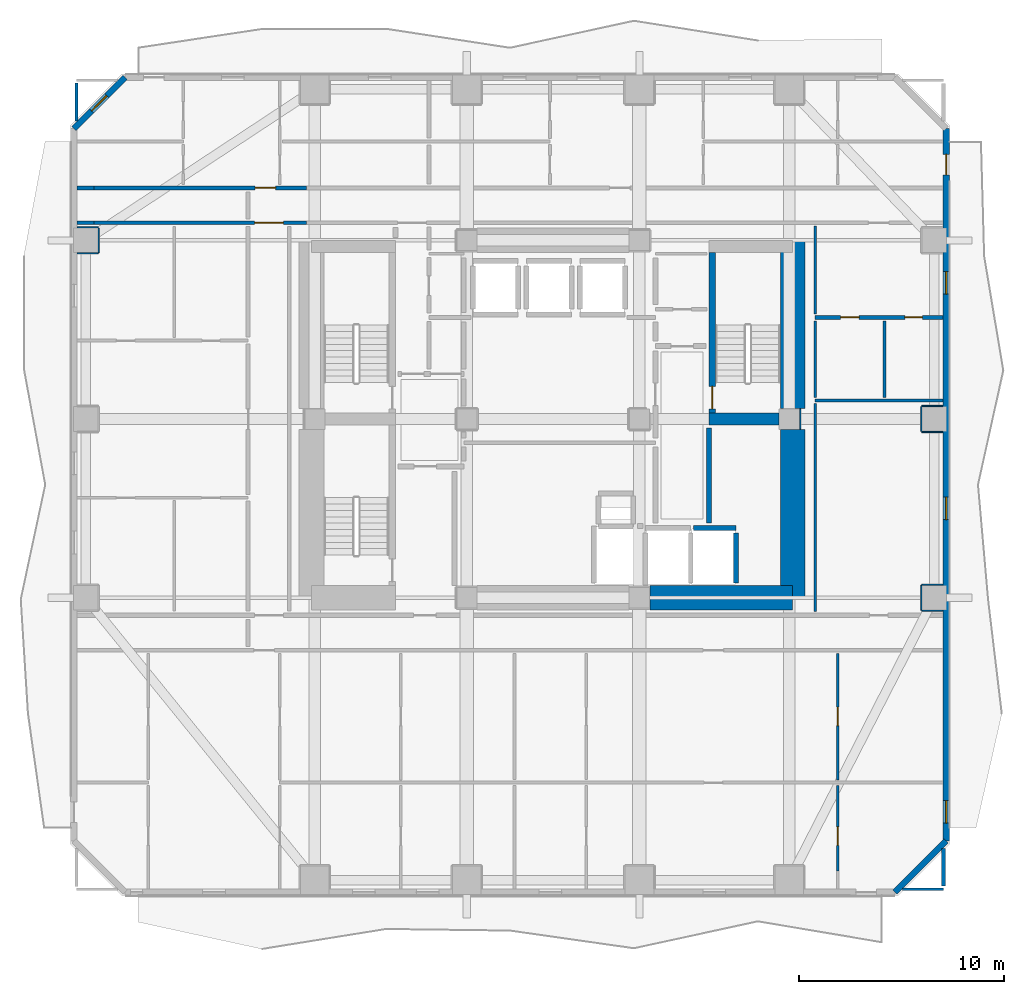
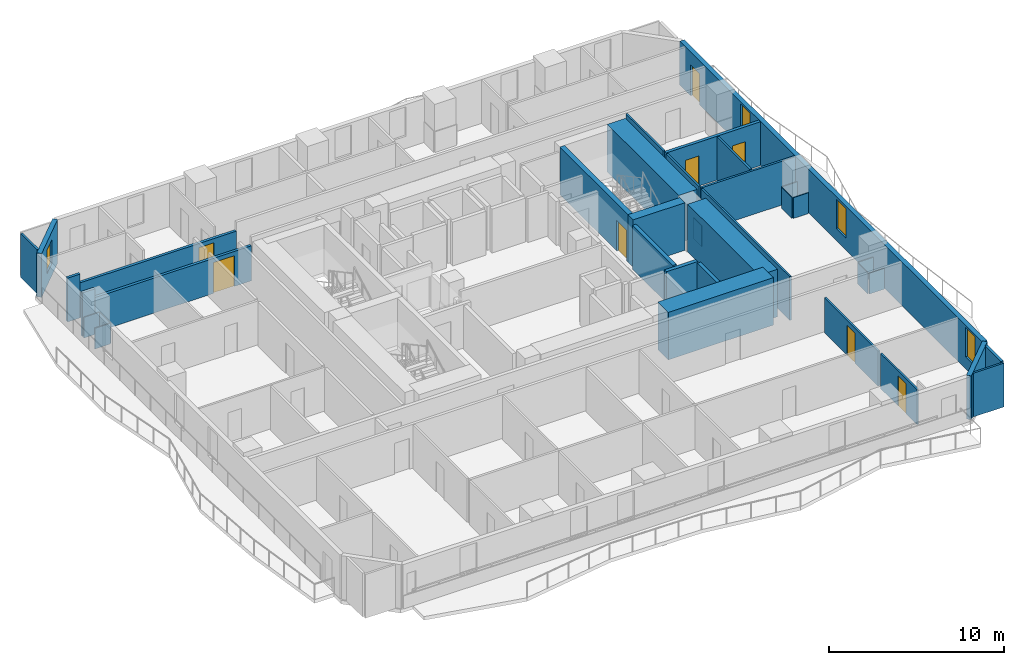
# One storey, part 5 of 11: 36 walls, 8 doors, 4 windows, 12 openings.
"""IFC4 building model written with IfcOpenShell, lengths in metres."""

import ifcopenshell
import ifcopenshell.guid

model = None  # the IFC model being written
_history = None  # IfcOwnerHistory: only IFC2X3 demands one
_inside = {}  # id of a spatial element -> (the spatial element, [elements in it])
_under = {}  # id of a project, library or spatial element -> (it, [spatial elements below it])
_declared = {}  # id of a project -> (the project, [libraries it declares])
_typed = {}  # id of a type object -> (the type object, [elements of that type])
_made_of = {}  # id of a material, layer set ... -> (it, [elements and type objects made of it])


def new_model(schema):
    """Start an empty IFC model of exactly this schema.

    Asked for "IFC4X3", IfcOpenShell would pick the latest addendum, in which some entities
    have other attributes; the version numbers below select the first issue.
    IFC2X3 requires an IfcOwnerHistory on every rooted entity: one is made here for all.
    """
    global model, _history
    if schema == "IFC4X3":
        model = ifcopenshell.file(schema_version=(4, 3, 0, 0))
    else:
        model = ifcopenshell.file(schema=schema)
    _inside.clear()
    _under.clear()
    _declared.clear()
    _typed.clear()
    _made_of.clear()
    _history = None
    if model.schema == "IFC2X3":
        org = make("IfcOrganization", Name="unknown")
        user = make(
            "IfcPersonAndOrganization",
            ThePerson=make("IfcPerson", FamilyName="unknown"),
            TheOrganization=org,
        )
        app = make(
            "IfcApplication",
            ApplicationDeveloper=org,
            Version="unknown",
            ApplicationFullName="unknown",
            ApplicationIdentifier="unknown",
        )
        _history = make(
            "IfcOwnerHistory",
            OwningUser=user,
            OwningApplication=app,
            ChangeAction="ADDED",
            CreationDate=0,
        )
    return model


def make(cls, **values):
    """One entity of the class cls with the attributes given. An attribute that is None is left unset."""
    return model.create_entity(
        cls, **{name: value for name, value in values.items() if value is not None}
    )


def rooted(cls, **values):
    """An entity with a GlobalId (a new one), such as an element, a storey or a relation."""
    return make(cls, GlobalId=ifcopenshell.guid.new(), OwnerHistory=_history, **values)


def si_unit(unit_type, name, prefix=None):
    """IfcSIUnit, for example si_unit("LENGTHUNIT", "METRE", prefix="MILLI")."""
    return make("IfcSIUnit", UnitType=unit_type, Prefix=prefix, Name=name)


def assignment(units):
    """IfcUnitAssignment: the units of a project."""
    return None if units is None else make("IfcUnitAssignment", Units=units)


def point(xyz):
    """IfcCartesianPoint."""
    return None if xyz is None else make("IfcCartesianPoint", Coordinates=xyz)


def direction(xyz):
    """IfcDirection."""
    return None if xyz is None else make("IfcDirection", DirectionRatios=xyz)


def frame(location, z_axis=None, x_axis=None):
    """IfcAxis2Placement3D, a coordinate frame: its origin and axes. An axis left out is left unset."""
    return make(
        "IfcAxis2Placement3D",
        Location=point(location),
        Axis=direction(z_axis),
        RefDirection=direction(x_axis),
    )


def frame_2d(location, x_axis=None):
    """IfcAxis2Placement2D, a coordinate frame in the plane: its origin and x axis."""
    return make(
        "IfcAxis2Placement2D", Location=point(location), RefDirection=direction(x_axis)
    )


def origin():
    """The frame at (0, 0, 0) with its axes left unset."""
    return frame((0.0, 0.0, 0.0))


def place(relative_to, where):
    """IfcLocalPlacement: puts the frame where relative to a parent placement (None: the world)."""
    return make(
        "IfcLocalPlacement", PlacementRelTo=relative_to, RelativePlacement=where
    )


def context(
    kind, dimensions, precision=None, world=None, true_north=None, identifier=None
):
    """IfcGeometricRepresentationContext, for example the 3D "Model" context."""
    return make(
        "IfcGeometricRepresentationContext",
        ContextIdentifier=identifier,
        ContextType=kind,
        CoordinateSpaceDimension=dimensions,
        Precision=precision,
        WorldCoordinateSystem=world,
        TrueNorth=true_north,
    )


def subcontext(parent, identifier, kind, view, scale=None):
    """IfcGeometricRepresentationSubContext, for example "Body" below "Model"."""
    return make(
        "IfcGeometricRepresentationSubContext",
        ContextIdentifier=identifier,
        ContextType=kind,
        ParentContext=parent,
        TargetScale=scale,
        TargetView=view,
    )


def project(units=None, contexts=None):
    """IfcProject with its units and contexts."""
    return rooted(
        "IfcProject",
        Name="project",
        RepresentationContexts=contexts,
        UnitsInContext=assignment(units),
    )


def spatial(cls, under=None, at=None, **own):
    """A site, building, storey or space (cls), placed at a placement, below another one or the project."""
    s = rooted(cls, ObjectPlacement=at, **own)
    if under is not None:
        _under.setdefault(under.id(), (under, []))[1].append(s)
    return s


def profile(cls, at=None, kind="AREA", **sizes):
    """A parametric profile (cls). Its sizes go by their IFC names, for example OverallWidth=200.0."""
    return make(cls, ProfileType=kind, Position=at, **sizes)


def rectangle(**sizes):
    """IfcRectangleProfileDef."""
    return profile("IfcRectangleProfileDef", **sizes)


def extrude(swept, where, along, depth):
    """IfcExtrudedAreaSolid: the profile swept, set in the frame where, extruded along a direction by depth."""
    return make(
        "IfcExtrudedAreaSolid",
        SweptArea=swept,
        Position=where,
        ExtrudedDirection=direction(along),
        Depth=depth,
    )


def shape(context_of_items, identifier, shape_type, items):
    """IfcShapeRepresentation: the items that make up one representation, for example the "Body"."""
    return make(
        "IfcShapeRepresentation",
        ContextOfItems=context_of_items,
        RepresentationIdentifier=identifier,
        RepresentationType=shape_type,
        Items=items,
    )


def material(Name=None, Category=None):
    """IfcMaterial."""
    return make("IfcMaterial", Name=Name, Category=Category)


def layer(
    of_material, thickness, ventilated=None, Name=None, Category=None, Priority=None
):
    """IfcMaterialLayer: one layer of a wall or slab, of a material (None: an air gap)."""
    return make(
        "IfcMaterialLayer",
        Material=of_material,
        LayerThickness=thickness,
        IsVentilated=ventilated,
        Name=Name,
        Category=Category,
        Priority=Priority,
    )


def layer_set(layers, Name=None):
    """IfcMaterialLayerSet."""
    return make("IfcMaterialLayerSet", MaterialLayers=layers, LayerSetName=Name)


def made_of(thing, what):
    """Note that an element or type object is made of a material, layer set ...; save() writes the relation."""
    if what is not None:
        _made_of.setdefault(what.id(), (what, []))[1].append(thing)
    return thing


def type_object(cls, material=None, **own):
    """A type object (cls), such as IfcWallType, which elements share."""
    return made_of(rooted(cls, **own), material)


def element(
    cls,
    number,
    at=None,
    inside=None,
    cuts=None,
    type_object=None,
    material=None,
    context=None,
    identifier="Body",
    shape_type=None,
    held_by="IfcProductDefinitionShape",
    body=None,
    shapes=None,
    **own,
):
    """One element of the class cls, such as IfcWall. Its Tag is "e" and its number.

    at: its placement. inside: the storey or other place that contains it. cuts: it is an
    opening in that element (IfcRelVoidsElement). A single representation is given by context,
    identifier, shape_type and body (its items); several are given by shapes. held_by: the class
    of the entity that holds the representations. save() writes the other relations.
    """
    e = rooted(cls, Tag="e%d" % number, ObjectPlacement=at, **own)
    if body is not None:
        shapes = [shape(context, identifier, shape_type, body)]
    if shapes is not None:
        e.Representation = make(held_by, Representations=shapes)
    if inside is not None:
        _inside.setdefault(inside.id(), (inside, []))[1].append(e)
    if cuts is not None:
        rooted(
            "IfcRelVoidsElement", RelatingBuildingElement=cuts, RelatedOpeningElement=e
        )
    if type_object is not None:
        _typed.setdefault(type_object.id(), (type_object, []))[1].append(e)
    return made_of(e, material)


def fill(opening, filler):
    """IfcRelFillsElement: the door or window that sits in an opening."""
    return rooted(
        "IfcRelFillsElement",
        RelatingOpeningElement=opening,
        RelatedBuildingElement=filler,
    )


def aggregate(whole, parts):
    """IfcRelAggregates: a whole, such as a stair, and the parts it consists of."""
    return rooted("IfcRelAggregates", RelatingObject=whole, RelatedObjects=parts)


def save(model, path):
    """Write the relations noted so far, then the file.

    IfcRelAggregates (storeys below a building ...), IfcRelContainedInSpatialStructure (elements
    in a storey), IfcRelDefinesByType, IfcRelAssociatesMaterial and IfcRelDeclares: one each for
    every whole, place, type object, material and project.
    """
    for whole, parts in _under.values():
        aggregate(whole, parts)
    for where, things in _inside.values():
        rooted(
            "IfcRelContainedInSpatialStructure",
            RelatedElements=things,
            RelatingStructure=where,
        )
    for kind, things in _typed.values():
        rooted("IfcRelDefinesByType", RelatedObjects=things, RelatingType=kind)
    for what, things in _made_of.values():
        rooted("IfcRelAssociatesMaterial", RelatedObjects=things, RelatingMaterial=what)
    for by, libraries in _declared.values():
        rooted("IfcRelDeclares", RelatingContext=by, RelatedDefinitions=libraries)
    model.write(path)


model = new_model("IFC4")

# Units and contexts
model_context = context("Model", 3, precision=1e-05, world=origin(), true_north=direction((0.0, 1.0)))
body_context = subcontext(model_context, "Body", "Model", "MODEL_VIEW")
ifc_project = project(units=[si_unit("LENGTHUNIT", "METRE"), si_unit("AREAUNIT", "SQUARE_METRE"), si_unit("VOLUMEUNIT", "CUBIC_METRE"), si_unit("PLANEANGLEUNIT", "RADIAN"), si_unit("MASSUNIT", "GRAM", prefix="KILO")], contexts=[model_context])

# Site, building, storey
site_placement = place(None, origin())
site = spatial("IfcSite", under=ifc_project, at=site_placement, CompositionType="ELEMENT")
building_placement = place(site_placement, origin())
building = spatial("IfcBuilding", under=site, at=building_placement, Name="Solanera Arch Residences", CompositionType="ELEMENT")
storey_placement = place(building_placement, frame((0.0, 0.0, 35.280029296875)))
storey = spatial("IfcBuildingStorey", under=building, at=storey_placement, Name="L09", CompositionType="ELEMENT", Elevation=35.280029296875)

# Walls
ifc_material_1 = material(Name="Fire-Rated Gypsum Stud Partition", Category="gypsum")
ifc_layer_1 = layer(ifc_material_1, 0.06005859375)
ifc_layer_set_1 = layer_set([ifc_layer_1], Name="Fire-Rated Gypsum Stud Partition")
wall_type_1 = type_object("IfcWallType", Name="Column Acoustic Furring Wall 60", PredefinedType="PARTITIONING", material=ifc_layer_set_1)
wall_1_placement = place(storey_placement, frame((37.031982421875, 30.2099609375, 0.0), z_axis=(0.0, 0.0, 1.0), x_axis=(0.0, 1.0, 0.0)))
element("IfcWall", 1, at=wall_1_placement, inside=storey, type_object=wall_type_1, Name="L09 Column Furring 6E", PredefinedType="PARTITIONING", context=body_context, shape_type="SweptSolid", body=[
    extrude(rectangle(XDim=0.97998046875, YDim=0.06005859375, at=frame_2d((0.489990234375, 0.0))), origin(), (0.0, 0.0, 1.0), 1.449951171875),
])
for number, where, z_axis, x_axis, name in (
    (2, (42.949951171875, 21.367919921875, 0.0), (0.0, 0.0, 1.0), (1.0, 0.0, 0.0), "L09 Column Furring 18S"),
    (3, (42.949951171875, 22.632080078125, 0.0), (0.0, 0.0, 1.0), (1.0, 0.0, 0.0), "L09 Column Furring 18N"),
):
    element("IfcWall", number, at=place(storey_placement, frame(where, z_axis=z_axis, x_axis=x_axis)), inside=storey, type_object=wall_type_1, Name=name, PredefinedType="PARTITIONING", context=body_context, shape_type="SweptSolid", body=[
        extrude(rectangle(XDim=1.02001953125, YDim=0.06005859375, at=frame_2d((0.510009765625, 0.0))), origin(), (0.0, 0.0, 1.0), 1.449951171875),
    ])
wall_2_placement = place(storey_placement, frame((42.91796875, 21.39990234375, 0.0), z_axis=(0.0, 0.0, 1.0), x_axis=(0.0, 1.0, 0.0)))
element("IfcWall", 4, at=wall_2_placement, inside=storey, type_object=wall_type_1, Name="L09 Column Furring 18W", PredefinedType="PARTITIONING", context=body_context, shape_type="SweptSolid", body=[
    extrude(rectangle(XDim=1.2001953125, YDim=0.06005859375, at=frame_2d((0.60009765625, 0.0))), origin(), (0.0, 0.0, 1.0), 1.449951171875),
])
for number, where, z_axis, x_axis, name in (
    (5, (42.949951171875, 30.068115234375, 0.0), (0.0, 0.0, 1.0), (1.0, 0.0, 0.0), "L09 Column Furring 20S"),
    (6, (42.949951171875, 31.33203125, 0.0), (0.0, 0.0, 1.0), (1.0, 0.0, 0.0), "L09 Column Furring 20N"),
):
    element("IfcWall", number, at=place(storey_placement, frame(where, z_axis=z_axis, x_axis=x_axis)), inside=storey, type_object=wall_type_1, Name=name, PredefinedType="PARTITIONING", context=body_context, shape_type="SweptSolid", body=[
        extrude(rectangle(XDim=1.02001953125, YDim=0.06005859375, at=frame_2d((0.510009765625, 0.0))), origin(), (0.0, 0.0, 1.0), 1.449951171875),
    ])
wall_3_placement = place(storey_placement, frame((42.91796875, 30.10009765625, 0.0), z_axis=(0.0, 0.0, 1.0), x_axis=(0.0, 1.0, 0.0)))
element("IfcWall", 7, at=wall_3_placement, inside=storey, type_object=wall_type_1, Name="L09 Column Furring 20W", PredefinedType="PARTITIONING", context=body_context, shape_type="SweptSolid", body=[
    extrude(rectangle(XDim=1.199951171875, YDim=0.06005859375, at=frame_2d((0.60009765625, 0.0))), origin(), (0.0, 0.0, 1.0), 1.449951171875),
])
for number, where, z_axis, x_axis, name in (
    (8, (1.830078125, 38.76806640625, 0.0), (0.0, 0.0, 1.0), (1.0, 0.0, 0.0), "L09 Column Furring 21S"),
    (9, (1.830078125, 40.031982421875, 0.0), (0.0, 0.0, 1.0), (1.0, 0.0, 0.0), "L09 Column Furring 21N"),
):
    element("IfcWall", number, at=place(storey_placement, frame(where, z_axis=z_axis, x_axis=x_axis)), inside=storey, type_object=wall_type_1, Name=name, PredefinedType="PARTITIONING", context=body_context, shape_type="SweptSolid", body=[
        extrude(rectangle(XDim=1.02001953125, YDim=0.06005859375, at=frame_2d((0.510009765625, 0.0))), origin(), (0.0, 0.0, 1.0), 1.449951171875),
    ])
wall_4_placement = place(storey_placement, frame((2.882080078125, 38.800048828125, 0.0), z_axis=(0.0, 0.0, 1.0), x_axis=(0.0, 1.0, 0.0)))
element("IfcWall", 10, at=wall_4_placement, inside=storey, type_object=wall_type_1, Name="L09 Column Furring 21E", PredefinedType="PARTITIONING", context=body_context, shape_type="SweptSolid", body=[
    extrude(rectangle(XDim=1.199951171875, YDim=0.06005859375, at=frame_2d((0.60009765625, 0.0))), origin(), (0.0, 0.0, 1.0), 1.449951171875),
])
ifc_material_2 = material(Name="Concrete C55/67 (f'c = 60 MPa)", Category="concrete")
ifc_layer_2 = layer(ifc_material_2, 1.199951171875)
ifc_layer_set_2 = layer_set([ifc_layer_2], Name="Concrete C55/67 (f'c = 60 MPa)")
wall_type_2 = type_object("IfcWallType", Name="Core Shear Wall CW-1200", PredefinedType="SHEAR", material=ifc_layer_set_2)
wall_5_placement = place(storey_placement, frame((36.659912109375, 22.0, 0.0), z_axis=(0.0, 0.0, 1.0), x_axis=(0.0, 1.0, 0.0)))
element("IfcWall", 11, at=wall_5_placement, inside=storey, type_object=wall_type_2, Name="L09 East Core South Shear Wall", PredefinedType="SHEAR", context=body_context, shape_type="SweptSolid", body=[
    extrude(rectangle(XDim=8.195068359375, YDim=1.199951171875, at=frame_2d((4.09765625, 0.0))), origin(), (0.0, 0.0, 1.0), 3.320068359375),
])
wall_6_placement = place(storey_placement, frame((36.659912109375, 31.205078125, 0.0), z_axis=(0.0, 0.0, 1.0), x_axis=(0.0, 1.0, 0.0)))
element("IfcWall", 12, at=wall_6_placement, inside=storey, type_object=wall_type_2, Name="L09 East Core North Shear Wall", PredefinedType="SHEAR", context=body_context, shape_type="SweptSolid", body=[
    extrude(rectangle(XDim=8.19482421875, YDim=1.199951171875, at=frame_2d((4.097412109375, 0.0))), origin(), (0.0, 0.0, 1.0), 3.320068359375),
])
wall_7_placement = place(storey_placement, frame((29.705078125, 22.0, 0.0), z_axis=(0.0, 0.0, 1.0), x_axis=(1.0, 0.0, 0.0)))
element("IfcWall", 13, at=wall_7_placement, inside=storey, type_object=wall_type_2, Name="L09 South-East Core Shear Wall", PredefinedType="SHEAR", context=body_context, shape_type="SweptSolid", body=[
    extrude(rectangle(XDim=6.954833984375, YDim=1.199951171875, at=frame_2d((3.4775390625, 0.0))), origin(), (0.0, 0.0, 1.0), 3.320068359375),
])

# Wall, opening, door
ifc_material_3 = material(Name="Concrete C40/50 (f'c = 45 MPa)", Category="concrete")
ifc_layer_3 = layer(ifc_material_3, 0.320068359375)
ifc_layer_set_3 = layer_set([ifc_layer_3], Name="Concrete C40/50 (f'c = 45 MPa)")
wall_type_3 = type_object("IfcWallType", Name="Core Shear Wall CW-320", PredefinedType="SHEAR", material=ifc_layer_set_3)
wall_8_placement = place(storey_placement, frame((32.739990234375, 31.0, 0.0), z_axis=(0.0, 0.0, 1.0), x_axis=(0.0, 1.0, 0.0)))
wall_8 = element("IfcWall", 14, at=wall_8_placement, inside=storey, type_object=wall_type_3, Name="L09 Stair ST-T2 West Shear Wall", PredefinedType="SHEAR", context=body_context, shape_type="SweptSolid", body=[
    extrude(rectangle(XDim=7.800048828125, YDim=0.320068359375, at=frame_2d((3.89990234375, 0.0))), origin(), (0.0, 0.0, 1.0), 3.320068359375),
])
opening_1_placement = place(wall_8_placement, frame((0.18994140625, 0.0, 0.0)))
opening_1 = element("IfcOpeningElement", 15, at=opening_1_placement, cuts=wall_8, Name="Opening DF-01", PredefinedType="OPENING", context=body_context, shape_type="SweptSolid", body=[
    extrude(rectangle(XDim=1.10009765625, YDim=2.14990234375, at=frame_2d((0.550048828125, 1.074951171875))), frame((0.0, 0.169921875, 0.0), z_axis=(0.0, -1.0, 0.0), x_axis=(1.0, 0.0, 0.0)), (0.0, 0.0, 1.0), 0.3401),
])
ifc_material_4 = material(Name="Fire-Rated Architectural Hardwood", Category="wood")
door_type_1 = type_object("IfcDoorType", Name="Stair Exit Fire Door DF-01", OperationType="NOTDEFINED", PredefinedType="DOOR", material=ifc_material_4)
door_1_placement = place(opening_1_placement, origin())
door_1 = element("IfcDoor", 16, at=door_1_placement, inside=storey, type_object=door_type_1, Name="DR-L09-STAIR-ST-T2", OperationType="SINGLE_SWING_LEFT", OverallHeight=2.14990234375, OverallWidth=1.10009765625, PredefinedType="DOOR", context=body_context, shape_type="SweptSolid", body=[
    extrude(rectangle(XDim=1.10009765625, YDim=2.14990234375, at=frame_2d((0.550048828125, 1.074951171875))), frame((0.0, 0.02490234375, 0.0), z_axis=(0.0, -1.0, 0.0), x_axis=(1.0, 0.0, 0.0)), (0.0, 0.0, 1.0), 0.050048828125),
])
fill(opening_1, door_1)

# Walls
ifc_material_5 = material(Name="Concrete C40/50 (f'c = 45 MPa)", Category="concrete")
ifc_layer_4 = layer(ifc_material_5, 0.60009765625)
ifc_layer_set_4 = layer_set([ifc_layer_4], Name="Concrete C40/50 (f'c = 45 MPa)")
wall_type_4 = type_object("IfcWallType", Name="Core Shear Wall CW-600", PredefinedType="SHEAR", material=ifc_layer_set_4)
wall_9_placement = place(storey_placement, frame((32.580078125, 30.699951171875, 0.0), z_axis=(0.0, 0.0, 1.0), x_axis=(1.0, 0.0, 0.0)))
element("IfcWall", 17, at=wall_9_placement, inside=storey, type_object=wall_type_4, Name="L09 East Stair Far-Landing Shear Wall", PredefinedType="SHEAR", context=body_context, shape_type="SweptSolid", body=[
    extrude(rectangle(XDim=3.4150390625, YDim=0.60009765625, at=frame_2d((1.70751953125, 0.0))), origin(), (0.0, 0.0, 1.0), 3.320068359375),
])
ifc_material_6 = material(Name="Autoclaved Aerated Concrete Blockwork", Category="masonry")
ifc_layer_5 = layer(ifc_material_6, 0.179931640625)
ifc_layer_set_5 = layer_set([ifc_layer_5], Name="Autoclaved Aerated Concrete Blockwork")
wall_type_5 = type_object("IfcWallType", Name="Corridor Fire Partition 180", PredefinedType="PARTITIONING", material=ifc_layer_set_5)
wall_10_placement = place(storey_placement, frame((1.826904296875, 40.25, 0.0), z_axis=(0.0, 0.0, 1.0), x_axis=(1.0, 0.0, 0.0)))
element("IfcWall", 18, at=wall_10_placement, inside=storey, type_object=wall_type_5, Name="L09 Interior Partition H11 1", PredefinedType="PARTITIONING", context=body_context, shape_type="SweptSolid", body=[
    extrude(rectangle(XDim=0.833984375, YDim=0.179931640625, at=frame_2d((0.4169921875, 0.0))), origin(), (0.0, 0.0, 1.0), 3.06005859375),
])

# Wall, opening, door
wall_11_placement = place(storey_placement, frame((2.660888671875, 40.25, 0.0), z_axis=(0.0, 0.0, 1.0), x_axis=(1.0, 0.0, 0.0)))
wall_11 = element("IfcWall", 19, at=wall_11_placement, inside=storey, type_object=wall_type_5, Name="L09 Interior Partition H11 2", PredefinedType="PARTITIONING", context=body_context, shape_type="SweptSolid", body=[
    extrude(rectangle(XDim=10.328125, YDim=0.179931640625, at=frame_2d((5.1640625, 0.0))), origin(), (0.0, 0.0, 1.0), 2.445068359375),
])
opening_2_placement = place(wall_11_placement, frame((7.81298828125, 0.0, 0.0)))
opening_2 = element("IfcOpeningElement", 20, at=opening_2_placement, cuts=wall_11, Name="Opening DF-03", PredefinedType="OPENING", context=body_context, shape_type="SweptSolid", body=[
    extrude(rectangle(XDim=1.39990234375, YDim=2.14990234375, at=frame_2d((0.699951171875, 1.074951171875))), frame((0.0, 0.10009765625, 0.0), z_axis=(0.0, -1.0, 0.0), x_axis=(1.0, 0.0, 0.0)), (0.0, 0.0, 1.0), 0.1999),
])
ifc_material_7 = material(Name="Fire-Rated Architectural Hardwood", Category="wood")
door_type_2 = type_object("IfcDoorType", Name="Corridor Smoke Door DF-03", OperationType="NOTDEFINED", PredefinedType="DOOR", material=ifc_material_7)
door_2_placement = place(opening_2_placement, origin())
door_2 = element("IfcDoor", 21, at=door_2_placement, inside=storey, type_object=door_type_2, Name="DR-L09-IN-011", OperationType="SINGLE_SWING_RIGHT", OverallHeight=2.14990234375, OverallWidth=1.39990234375, PredefinedType="DOOR", context=body_context, shape_type="SweptSolid", body=[
    extrude(rectangle(XDim=1.39990234375, YDim=2.14990234375, at=frame_2d((0.699951171875, 1.074951171875))), frame((0.0, 0.02490234375, 0.0), z_axis=(0.0, -1.0, 0.0), x_axis=(1.0, 0.0, 0.0)), (0.0, 0.0, 1.0), 0.050048828125),
])
fill(opening_2, door_2)

# Wall
wall_12_placement = place(storey_placement, frame((1.826904296875, 41.949951171875, 0.0), z_axis=(0.0, 0.0, 1.0), x_axis=(1.0, 0.0, 0.0)))
element("IfcWall", 22, at=wall_12_placement, inside=storey, type_object=wall_type_5, Name="L09 Interior Partition H12 1", PredefinedType="PARTITIONING", context=body_context, shape_type="SweptSolid", body=[
    extrude(rectangle(XDim=0.833984375, YDim=0.179931640625, at=frame_2d((0.4169921875, 0.0))), origin(), (0.0, 0.0, 1.0), 3.06005859375),
])

# Wall, opening, door
wall_13_placement = place(storey_placement, frame((2.660888671875, 41.949951171875, 0.0), z_axis=(0.0, 0.0, 1.0), x_axis=(1.0, 0.0, 0.0)))
wall_13 = element("IfcWall", 23, at=wall_13_placement, inside=storey, type_object=wall_type_5, Name="L09 Interior Partition H12 2", PredefinedType="PARTITIONING", context=body_context, shape_type="SweptSolid", body=[
    extrude(rectangle(XDim=10.328125, YDim=0.179931640625, at=frame_2d((5.1640625, 0.0))), origin(), (0.0, 0.0, 1.0), 2.445068359375),
])
opening_3_placement = place(wall_13_placement, frame((7.833984375, 0.0, 0.0)))
opening_3 = element("IfcOpeningElement", 24, at=opening_3_placement, cuts=wall_13, Name="Opening DI-01", PredefinedType="OPENING", context=body_context, shape_type="SweptSolid", body=[
    extrude(rectangle(XDim=1.0, YDim=2.14990234375, at=frame_2d((0.5, 1.074951171875))), frame((0.0, 0.10009765625, 0.0), z_axis=(0.0, -1.0, 0.0), x_axis=(1.0, 0.0, 0.0)), (0.0, 0.0, 1.0), 0.1999),
])
ifc_material_8 = material(Name="Fire-Rated Architectural Hardwood", Category="wood")
door_type_3 = type_object("IfcDoorType", Name="Unit Entrance Fire Door DI-01", OperationType="NOTDEFINED", PredefinedType="DOOR", material=ifc_material_8)
door_3_placement = place(opening_3_placement, origin())
door_3 = element("IfcDoor", 25, at=door_3_placement, inside=storey, type_object=door_type_3, Name="DR-L09-IN-028", OperationType="SINGLE_SWING_LEFT", OverallHeight=2.14990234375, OverallWidth=1.0, PredefinedType="DOOR", context=body_context, shape_type="SweptSolid", body=[
    extrude(rectangle(XDim=1.0, YDim=2.14990234375, at=frame_2d((0.5, 1.074951171875))), frame((0.0, 0.02490234375, 0.0), z_axis=(0.0, -1.0, 0.0), x_axis=(1.0, 0.0, 0.0)), (0.0, 0.0, 1.0), 0.050048828125),
])
fill(opening_3, door_3)

# Wall
wall_14_placement = place(storey_placement, frame((44.0, 7.9580078125, 0.0), z_axis=(0.0, 0.0, 1.0), x_axis=(0.0, 1.0, 0.0)))
element("IfcWall", 26, at=wall_14_placement, inside=storey, type_object=wall_type_5, Name="L09 Interior Partition V10 1", PredefinedType="PARTITIONING", context=body_context, shape_type="SweptSolid", body=[
    extrude(rectangle(XDim=1.843017578125, YDim=0.179931640625, at=frame_2d((0.92138671875, 0.0))), origin(), (0.0, 0.0, 1.0), 3.06005859375),
])

# Wall, opening, window
ifc_material_9 = material(Name="Precast Concrete C35/45", Category="concrete")
ifc_layer_6 = layer(ifc_material_9, 0.300048828125)
ifc_layer_set_6 = layer_set([ifc_layer_6], Name="Precast Concrete C35/45")
wall_type_6 = type_object("IfcWallType", Name="Exterior Wall Precast Masonry-Frame 300", PredefinedType="STANDARD", material=ifc_layer_set_6)
wall_15_placement = place(storey_placement, frame((1.6650390625, 44.8349609375, 0.0), z_axis=(0.0, 0.0, 1.0), x_axis=(0.707106781187, 0.707106781187, 0.0)))
wall_15 = element("IfcWall", 27, at=wall_15_placement, inside=storey, type_object=wall_type_6, Name="L09 Tower Exterior Precast Masonry-Frame Wall CH1", PredefinedType="STANDARD", context=body_context, shape_type="SweptSolid", body=[
    extrude(rectangle(XDim=3.53564453125, YDim=0.300048828125, at=frame_2d((1.767822265625, 0.0))), origin(), (0.0, 0.0, 1.0), 3.06005859375),
])
opening_4_placement = place(wall_15_placement, frame((1.219970703125, 0.0, 0.85009765625)))
opening_4 = element("IfcOpeningElement", 28, at=opening_4_placement, cuts=wall_15, Name="Opening W-07", PredefinedType="OPENING", context=body_context, shape_type="SweptSolid", body=[
    extrude(rectangle(XDim=1.050048828125, YDim=1.64990234375, at=frame_2d((0.52490234375, 0.824951171875))), frame((0.0, 0.159912109375, 0.0), z_axis=(0.0, -1.0, 0.0), x_axis=(1.0, 0.0, 0.0)), (0.0, 0.0, 1.0), 0.32),
])
ifc_material_10 = material(Name="Double Glazed Low-E Laminated Glass", Category="glass")
window_type_1 = type_object("IfcWindowType", Name="Punched Window W-07", PartitioningType="SINGLE_PANEL", PredefinedType="WINDOW", material=ifc_material_10)
window_1_placement = place(opening_4_placement, origin())
window_1 = element("IfcWindow", 29, at=window_1_placement, inside=storey, type_object=window_type_1, Name="L09 0903-BR1 Corner Punched Window", OverallHeight=1.64990234375, OverallWidth=1.050048828125, PartitioningType="SINGLE_PANEL", PredefinedType="WINDOW", context=body_context, shape_type="SweptSolid", body=[
    extrude(rectangle(XDim=1.050048828125, YDim=1.64990234375, at=frame_2d((0.52490234375, 0.824951171875))), frame((0.0, 0.030029296875, 0.0), z_axis=(0.0, -1.0, 0.0), x_axis=(1.0, 0.0, 0.0)), (0.0, 0.0, 1.0), 0.06005859375),
])
fill(opening_4, window_1)

# Wall, openings, door, windows
wall_16_placement = place(storey_placement, frame((44.135009765625, 44.8349609375, 0.0), z_axis=(0.0, 0.0, 1.0), x_axis=(0.0, -1.0, 0.0)))
wall_16 = element("IfcWall", 30, at=wall_16_placement, inside=storey, type_object=wall_type_6, Name="L09 Tower Exterior Precast Masonry-Frame Wall E", PredefinedType="STANDARD", context=body_context, shape_type="SweptSolid", body=[
    extrude(rectangle(XDim=34.669921875, YDim=0.300048828125, at=frame_2d((17.3349609375, 0.0))), origin(), (0.0, 0.0, 1.0), 3.06005859375),
])
opening_5_placement = place(wall_16_placement, frame((1.2509765625, 0.0, 0.0)))
opening_5 = element("IfcOpeningElement", 31, at=opening_5_placement, cuts=wall_16, Name="Opening DB-01", PredefinedType="OPENING", context=body_context, shape_type="SweptSolid", body=[
    extrude(rectangle(XDim=1.0, YDim=2.14990234375, at=frame_2d((0.5, 1.074951171875))), frame((0.0, 0.159912109375, 0.0), z_axis=(0.0, -1.0, 0.0), x_axis=(1.0, 0.0, 0.0)), (0.0, 0.0, 1.0), 0.32),
])
opening_6_placement = place(wall_16_placement, frame((32.7080078125, 0.0, 0.85009765625)))
opening_6 = element("IfcOpeningElement", 32, at=opening_6_placement, cuts=wall_16, Name="Opening W-11", PredefinedType="OPENING", context=body_context, shape_type="SweptSolid", body=[
    extrude(rectangle(XDim=1.10009765625, YDim=2.050048828125, at=frame_2d((0.550048828125, 1.02490234375))), frame((0.0, 0.159912109375, 0.0), z_axis=(0.0, -1.0, 0.0), x_axis=(1.0, 0.0, 0.0)), (0.0, 0.0, 1.0), 0.32),
])
opening_7_placement = place(wall_16_placement, frame((17.93505859375, 0.0, 0.85009765625)))
opening_7 = element("IfcOpeningElement", 33, at=opening_7_placement, cuts=wall_16, Name="Opening W-11", PredefinedType="OPENING", context=body_context, shape_type="SweptSolid", body=[
    extrude(rectangle(XDim=1.10009765625, YDim=2.050048828125, at=frame_2d((0.550048828125, 1.02490234375))), frame((0.0, 0.159912109375, 0.0), z_axis=(0.0, -1.0, 0.0), x_axis=(1.0, 0.0, 0.0)), (0.0, 0.0, 1.0), 0.32),
])
opening_8_placement = place(wall_16_placement, frame((6.958984375, 0.0, 0.85009765625)))
opening_8 = element("IfcOpeningElement", 34, at=opening_8_placement, cuts=wall_16, Name="Opening W-11", PredefinedType="OPENING", context=body_context, shape_type="SweptSolid", body=[
    extrude(rectangle(XDim=1.10009765625, YDim=2.050048828125, at=frame_2d((0.550048828125, 1.02490234375))), frame((0.0, 0.159912109375, 0.0), z_axis=(0.0, -1.0, 0.0), x_axis=(1.0, 0.0, 0.0)), (0.0, 0.0, 1.0), 0.32),
])
ifc_material_11 = material(Name="Anodised Aluminium Alloy 6063-T6", Category="aluminium")
door_type_4 = type_object("IfcDoorType", Name="Glazed Balcony Swing Door DB-01", OperationType="NOTDEFINED", PredefinedType="DOOR", material=ifc_material_11)
door_4_placement = place(opening_5_placement, origin())
door_4 = element("IfcDoor", 35, at=door_4_placement, inside=storey, type_object=door_type_4, Name="DR-L09-OUT-03", OperationType="SINGLE_SWING_LEFT", OverallHeight=2.14990234375, OverallWidth=1.0, PredefinedType="DOOR", context=body_context, shape_type="SweptSolid", body=[
    extrude(rectangle(XDim=1.0, YDim=2.14990234375, at=frame_2d((0.5, 1.074951171875))), frame((0.0, 0.02490234375, 0.0), z_axis=(0.0, -1.0, 0.0), x_axis=(1.0, 0.0, 0.0)), (0.0, 0.0, 1.0), 0.050048828125),
])
fill(opening_5, door_4)
ifc_material_12 = material(Name="Double Glazed Low-E Laminated Glass", Category="glass")
window_type_2 = type_object("IfcWindowType", Name="Punched Window W-11", PartitioningType="SINGLE_PANEL", PredefinedType="WINDOW", material=ifc_material_12)
window_2_placement = place(opening_6_placement, origin())
window_2 = element("IfcWindow", 36, at=window_2_placement, inside=storey, type_object=window_type_2, Name="L09 0902-BR2 Punched Window", OverallHeight=2.050048828125, OverallWidth=1.10009765625, PartitioningType="SINGLE_PANEL", PredefinedType="WINDOW", context=body_context, shape_type="SweptSolid", body=[
    extrude(rectangle(XDim=1.10009765625, YDim=2.050048828125, at=frame_2d((0.550048828125, 1.02490234375))), frame((0.0, 0.030029296875, 0.0), z_axis=(0.0, -1.0, 0.0), x_axis=(1.0, 0.0, 0.0)), (0.0, 0.0, 1.0), 0.06005859375),
])
fill(opening_6, window_2)
window_3_placement = place(opening_7_placement, origin())
window_3 = element("IfcWindow", 37, at=window_3_placement, inside=storey, type_object=window_type_2, Name="L09 AMN-STDE Punched Window", OverallHeight=2.050048828125, OverallWidth=1.10009765625, PartitioningType="SINGLE_PANEL", PredefinedType="WINDOW", context=body_context, shape_type="SweptSolid", body=[
    extrude(rectangle(XDim=1.10009765625, YDim=2.050048828125, at=frame_2d((0.550048828125, 1.02490234375))), frame((0.0, 0.030029296875, 0.0), z_axis=(0.0, -1.0, 0.0), x_axis=(1.0, 0.0, 0.0)), (0.0, 0.0, 1.0), 0.06005859375),
])
fill(opening_7, window_3)
window_4_placement = place(opening_8_placement, origin())
window_4 = element("IfcWindow", 38, at=window_4_placement, inside=storey, type_object=window_type_2, Name="L09 0906-LIV Punched Window", OverallHeight=2.050048828125, OverallWidth=1.10009765625, PartitioningType="SINGLE_PANEL", PredefinedType="WINDOW", context=body_context, shape_type="SweptSolid", body=[
    extrude(rectangle(XDim=1.10009765625, YDim=2.050048828125, at=frame_2d((0.550048828125, 1.02490234375))), frame((0.0, 0.030029296875, 0.0), z_axis=(0.0, -1.0, 0.0), x_axis=(1.0, 0.0, 0.0)), (0.0, 0.0, 1.0), 0.06005859375),
])
fill(opening_8, window_4)

# Wall
wall_17_placement = place(storey_placement, frame((44.135009765625, 10.1650390625, 0.0), z_axis=(0.0, 0.0, 1.0), x_axis=(-0.707106781187, -0.707106781187, 0.0)))
element("IfcWall", 39, at=wall_17_placement, inside=storey, type_object=wall_type_6, Name="L09 Tower Exterior Precast Masonry-Frame Wall CH5", PredefinedType="STANDARD", context=body_context, shape_type="SweptSolid", body=[
    extrude(rectangle(XDim=3.53564453125, YDim=0.300048828125, at=frame_2d((1.767822265625, 0.0))), origin(), (0.0, 0.0, 1.0), 3.06005859375),
])

# Wall, openings, doors
ifc_material_13 = material(Name="Autoclaved Aerated Concrete Blockwork", Category="masonry")
ifc_layer_7 = layer(ifc_material_13, 0.199951171875)
ifc_layer_set_7 = layer_set([ifc_layer_7], Name="Autoclaved Aerated Concrete Blockwork")
wall_type_7 = type_object("IfcWallType", Name="Party Wall Acoustic 200", PredefinedType="PARTITIONING", material=ifc_layer_set_7)
wall_18_placement = place(storey_placement, frame((37.75, 35.64990234375, 0.0), z_axis=(0.0, 0.0, 1.0), x_axis=(1.0, 0.0, 0.0)))
wall_18 = element("IfcWall", 40, at=wall_18_placement, inside=storey, type_object=wall_type_7, Name="L09 Interior Partition H7", PredefinedType="PARTITIONING", context=body_context, shape_type="SweptSolid", body=[
    extrude(rectangle(XDim=6.222900390625, YDim=0.199951171875, at=frame_2d((3.111328125, 0.0))), origin(), (0.0, 0.0, 1.0), 3.06005859375),
])
opening_9_placement = place(wall_18_placement, frame((1.25, 0.0, 0.0)))
opening_9 = element("IfcOpeningElement", 41, at=opening_9_placement, cuts=wall_18, Name="Opening DI-02", PredefinedType="OPENING", context=body_context, shape_type="SweptSolid", body=[
    extrude(rectangle(XDim=0.89990234375, YDim=2.10009765625, at=frame_2d((0.449951171875, 1.050048828125))), frame((0.0, 0.110107421875, 0.0), z_axis=(0.0, -1.0, 0.0), x_axis=(1.0, 0.0, 0.0)), (0.0, 0.0, 1.0), 0.22),
])
opening_10_placement = place(wall_18_placement, frame((4.3701171875, 0.0, 0.0)))
opening_10 = element("IfcOpeningElement", 42, at=opening_10_placement, cuts=wall_18, Name="Opening DI-05", PredefinedType="OPENING", context=body_context, shape_type="SweptSolid", body=[
    extrude(rectangle(XDim=0.860107421875, YDim=2.02001953125, at=frame_2d((0.43017578125, 1.010009765625))), frame((0.0, 0.110107421875, 0.0), z_axis=(0.0, -1.0, 0.0), x_axis=(1.0, 0.0, 0.0)), (0.0, 0.0, 1.0), 0.22),
])
ifc_material_14 = material(Name="Fire-Rated Architectural Hardwood", Category="wood")
door_type_5 = type_object("IfcDoorType", Name="Bathroom Swing Door DI-05", OperationType="NOTDEFINED", PredefinedType="DOOR", material=ifc_material_14)
door_5_placement = place(opening_10_placement, origin())
door_5 = element("IfcDoor", 43, at=door_5_placement, inside=storey, type_object=door_type_5, Name="DR-L09-IN-048", OperationType="SINGLE_SWING_LEFT", OverallHeight=2.02001953125, OverallWidth=0.860107421875, PredefinedType="DOOR", context=body_context, shape_type="SweptSolid", body=[
    extrude(rectangle(XDim=0.860107421875, YDim=2.02001953125, at=frame_2d((0.43017578125, 1.010009765625))), frame((0.0, 0.02490234375, 0.0), z_axis=(0.0, -1.0, 0.0), x_axis=(1.0, 0.0, 0.0)), (0.0, 0.0, 1.0), 0.050048828125),
])
fill(opening_10, door_5)
ifc_material_15 = material(Name="Fire-Rated Architectural Hardwood", Category="wood")
door_type_6 = type_object("IfcDoorType", Name="Suite Room Swing Door DI-02", OperationType="NOTDEFINED", PredefinedType="DOOR", material=ifc_material_15)
door_6_placement = place(opening_9_placement, origin())
door_6 = element("IfcDoor", 44, at=door_6_placement, inside=storey, type_object=door_type_6, Name="DR-L09-IN-047", OperationType="SINGLE_SWING_RIGHT", OverallHeight=2.10009765625, OverallWidth=0.89990234375, PredefinedType="DOOR", context=body_context, shape_type="SweptSolid", body=[
    extrude(rectangle(XDim=0.89990234375, YDim=2.10009765625, at=frame_2d((0.449951171875, 1.050048828125))), frame((0.0, 0.02490234375, 0.0), z_axis=(0.0, -1.0, 0.0), x_axis=(1.0, 0.0, 0.0)), (0.0, 0.0, 1.0), 0.050048828125),
])
fill(opening_9, door_6)

# Walls
ifc_material_16 = material(Name="Autoclaved Aerated Concrete Blockwork", Category="masonry")
ifc_layer_8 = layer(ifc_material_16, 0.239990234375)
ifc_layer_set_8 = layer_set([ifc_layer_8], Name="Autoclaved Aerated Concrete Blockwork")
wall_type_8 = type_object("IfcWallType", Name="Shaft Wall Fire-Rated 240", PredefinedType="PARTITIONING", material=ifc_layer_set_8)
wall_19_placement = place(storey_placement, frame((31.827880859375, 25.39990234375, 0.0), z_axis=(0.0, 0.0, 1.0), x_axis=(1.0, 0.0, 0.0)))
element("IfcWall", 45, at=wall_19_placement, inside=storey, type_object=wall_type_8, Name="L09 Lift FFL-2 Hoistway Wall N", PredefinedType="PARTITIONING", context=body_context, shape_type="SweptSolid", body=[
    extrude(rectangle(XDim=2.072021484375, YDim=0.239990234375, at=frame_2d((1.0361328125, 0.0))), origin(), (0.0, 0.0, 1.0), 3.06005859375),
])
wall_20_placement = place(storey_placement, frame((33.89990234375, 22.72998046875, 0.0), z_axis=(0.0, 0.0, 1.0), x_axis=(0.0, 1.0, 0.0)))
element("IfcWall", 46, at=wall_20_placement, inside=storey, type_object=wall_type_8, Name="L09 Lift FFL-2 Hoistway Wall E", PredefinedType="PARTITIONING", context=body_context, shape_type="SweptSolid", body=[
    extrude(rectangle(XDim=2.422119140625, YDim=0.239990234375, at=frame_2d((1.2109375, 0.0))), origin(), (0.0, 0.0, 1.0), 3.06005859375),
])
wall_21_placement = place(storey_placement, frame((32.580078125, 25.64794921875, 0.0), z_axis=(0.0, 0.0, 1.0), x_axis=(0.0, 1.0, 0.0)))
element("IfcWall", 47, at=wall_21_placement, inside=storey, type_object=wall_type_8, Name="L09 Interior Partition V5", PredefinedType="PARTITIONING", context=body_context, shape_type="SweptSolid", body=[
    extrude(rectangle(XDim=4.6220703125, YDim=0.239990234375, at=frame_2d((2.31103515625, 0.0))), origin(), (0.0, 0.0, 1.0), 3.06005859375),
])
ifc_material_17 = material(Name="Fire-Rated Gypsum Stud Partition", Category="gypsum")
ifc_layer_9 = layer(ifc_material_17, 0.1201171875)
ifc_layer_set_9 = layer_set([ifc_layer_9], Name="Fire-Rated Gypsum Stud Partition")
wall_type_9 = type_object("IfcWallType", Name="Unit Drywall Partition 120", PredefinedType="PARTITIONING", material=ifc_layer_set_9)
wall_22_placement = place(storey_placement, frame((41.9990234375, 7.800048828125, 0.0), z_axis=(0.0, 0.0, 1.0), x_axis=(1.0, 0.0, 0.0)))
element("IfcWall", 48, at=wall_22_placement, inside=storey, type_object=wall_type_9, Name="L09 Interior Partition H22 2", PredefinedType="PARTITIONING", context=body_context, shape_type="SweptSolid", body=[
    extrude(rectangle(XDim=2.0009765625, YDim=0.1201171875, at=frame_2d((1.00048828125, 0.0))), origin(), (0.0, 0.0, 1.0), 3.06005859375),
])
wall_23_placement = place(storey_placement, frame((37.75, 21.337890625, 0.0), z_axis=(0.0, 0.0, 1.0), x_axis=(0.0, 1.0, 0.0)))
element("IfcWall", 49, at=wall_23_placement, inside=storey, type_object=wall_type_9, Name="L09 Interior Partition V26 1", PredefinedType="PARTITIONING", context=body_context, shape_type="SweptSolid", body=[
    extrude(rectangle(XDim=10.1240234375, YDim=0.1201171875, at=frame_2d((5.06201171875, 0.0))), origin(), (0.0, 0.0, 1.0), 3.06005859375),
])
wall_24_placement = place(storey_placement, frame((37.75, 31.738037109375, 0.0), z_axis=(0.0, 0.0, 1.0), x_axis=(0.0, 1.0, 0.0)))
element("IfcWall", 50, at=wall_24_placement, inside=storey, type_object=wall_type_9, Name="L09 Interior Partition V26 2", PredefinedType="PARTITIONING", context=body_context, shape_type="SweptSolid", body=[
    extrude(rectangle(XDim=3.743896484375, YDim=0.1201171875, at=frame_2d((1.8720703125, 0.0))), origin(), (0.0, 0.0, 1.0), 3.06005859375),
])
wall_25_placement = place(storey_placement, frame((37.75, 35.818115234375, 0.0), z_axis=(0.0, 0.0, 1.0), x_axis=(0.0, 1.0, 0.0)))
element("IfcWall", 51, at=wall_25_placement, inside=storey, type_object=wall_type_9, Name="L09 Interior Partition V26 3", PredefinedType="PARTITIONING", context=body_context, shape_type="SweptSolid", body=[
    extrude(rectangle(XDim=4.27392578125, YDim=0.1201171875, at=frame_2d((2.136962890625, 0.0))), origin(), (0.0, 0.0, 1.0), 3.06005859375),
])

# Wall, opening, door
wall_26_placement = place(storey_placement, frame((38.85498046875, 8.69091796875, 0.0), z_axis=(0.0, 0.0, 1.0), x_axis=(0.0, 1.0, 0.0)))
wall_26 = element("IfcWall", 52, at=wall_26_placement, inside=storey, type_object=wall_type_9, Name="L09 Interior Partition V27 2", PredefinedType="PARTITIONING", context=body_context, shape_type="SweptSolid", body=[
    extrude(rectangle(XDim=4.171142578125, YDim=0.1201171875, at=frame_2d((2.08544921875, 0.0))), origin(), (0.0, 0.0, 1.0), 2.445068359375),
])
opening_11_placement = place(wall_26_placement, frame((1.259033203125, 0.0, 0.0)))
opening_11 = element("IfcOpeningElement", 53, at=opening_11_placement, cuts=wall_26, Name="Opening DI-03", PredefinedType="OPENING", context=body_context, shape_type="SweptSolid", body=[
    extrude(rectangle(XDim=0.89990234375, YDim=2.10009765625, at=frame_2d((0.449951171875, 1.050048828125))), frame((0.0, 0.070068359375, 0.0), z_axis=(0.0, -1.0, 0.0), x_axis=(1.0, 0.0, 0.0)), (0.0, 0.0, 1.0), 0.1401),
])
ifc_material_18 = material(Name="Fire-Rated Architectural Hardwood", Category="wood")
door_type_7 = type_object("IfcDoorType", Name="Bedroom Swing Door DI-03", OperationType="NOTDEFINED", PredefinedType="DOOR", material=ifc_material_18)
door_7_placement = place(opening_11_placement, origin())
door_7 = element("IfcDoor", 54, at=door_7_placement, inside=storey, type_object=door_type_7, Name="DR-L09-IN-027", OperationType="SINGLE_SWING_RIGHT", OverallHeight=2.10009765625, OverallWidth=0.89990234375, PredefinedType="DOOR", context=body_context, shape_type="SweptSolid", body=[
    extrude(rectangle(XDim=0.89990234375, YDim=2.10009765625, at=frame_2d((0.449951171875, 1.050048828125))), frame((0.0, 0.02490234375, 0.0), z_axis=(0.0, -1.0, 0.0), x_axis=(1.0, 0.0, 0.0)), (0.0, 0.0, 1.0), 0.050048828125),
])
fill(opening_11, door_7)

wall_27_placement = place(storey_placement, frame((38.85498046875, 13.137939453125, 0.0), z_axis=(0.0, 0.0, 1.0), x_axis=(0.0, 1.0, 0.0)))
wall_27 = element("IfcWall", 55, at=wall_27_placement, inside=storey, type_object=wall_type_9, Name="L09 Interior Partition V27 3", PredefinedType="PARTITIONING", context=body_context, shape_type="SweptSolid", body=[
    extrude(rectangle(XDim=6.154052734375, YDim=0.1201171875, at=frame_2d((3.0771484375, 0.0))), origin(), (0.0, 0.0, 1.0), 2.445068359375),
])
opening_12_placement = place(wall_27_placement, frame((2.636962890625, 0.0, 0.0)))
opening_12 = element("IfcOpeningElement", 56, at=opening_12_placement, cuts=wall_27, Name="Opening DI-02", PredefinedType="OPENING", context=body_context, shape_type="SweptSolid", body=[
    extrude(rectangle(XDim=0.89990234375, YDim=2.10009765625, at=frame_2d((0.449951171875, 1.050048828125))), frame((0.0, 0.070068359375, 0.0), z_axis=(0.0, -1.0, 0.0), x_axis=(1.0, 0.0, 0.0)), (0.0, 0.0, 1.0), 0.1401),
])
door_8_placement = place(opening_12_placement, origin())
door_8 = element("IfcDoor", 57, at=door_8_placement, inside=storey, type_object=door_type_6, Name="DR-L09-IN-026", OperationType="SINGLE_SWING_LEFT", OverallHeight=2.10009765625, OverallWidth=0.89990234375, PredefinedType="DOOR", context=body_context, shape_type="SweptSolid", body=[
    extrude(rectangle(XDim=0.89990234375, YDim=2.10009765625, at=frame_2d((0.449951171875, 1.050048828125))), frame((0.0, 0.02490234375, 0.0), z_axis=(0.0, -1.0, 0.0), x_axis=(1.0, 0.0, 0.0)), (0.0, 0.0, 1.0), 0.050048828125),
])
fill(opening_12, door_8)

# Walls
ifc_material_19 = material(Name="Autoclaved Aerated Concrete Blockwork", Category="masonry")
ifc_layer_10 = layer(ifc_material_19, 0.139892578125)
ifc_layer_set_10 = layer_set([ifc_layer_10], Name="Autoclaved Aerated Concrete Blockwork")
wall_type_10 = type_object("IfcWallType", Name="Wet-Room Partition 140", PredefinedType="PARTITIONING", material=ifc_layer_set_10)
wall_28_placement = place(storey_placement, frame((37.75, 31.60009765625, 0.0), z_axis=(0.0, 0.0, 1.0), x_axis=(1.0, 0.0, 0.0)))
element("IfcWall", 58, at=wall_28_placement, inside=storey, type_object=wall_type_10, Name="L09 Interior Partition H15", PredefinedType="PARTITIONING", context=body_context, shape_type="SweptSolid", body=[
    extrude(rectangle(XDim=6.222900390625, YDim=0.139892578125, at=frame_2d((3.111328125, 0.0))), origin(), (0.0, 0.0, 1.0), 3.06005859375),
])
wall_29_placement = place(storey_placement, frame((1.800048828125, 45.198974609375, 0.0), z_axis=(0.0, 0.0, 1.0), x_axis=(0.0, 1.0, 0.0)))
element("IfcWall", 59, at=wall_29_placement, inside=storey, type_object=wall_type_10, Name="L09 Interior Partition V13", PredefinedType="PARTITIONING", context=body_context, shape_type="SweptSolid", body=[
    extrude(rectangle(XDim=1.863037109375, YDim=0.139892578125, at=frame_2d((0.931640625, 0.0))), origin(), (0.0, 0.0, 1.0), 3.06005859375),
])
wall_30_placement = place(storey_placement, frame((41.125, 31.748046875, 0.0), z_axis=(0.0, 0.0, 1.0), x_axis=(0.0, 1.0, 0.0)))
element("IfcWall", 60, at=wall_30_placement, inside=storey, type_object=wall_type_10, Name="L09 Interior Partition V21", PredefinedType="PARTITIONING", context=body_context, shape_type="SweptSolid", body=[
    extrude(rectangle(XDim=3.723876953125, YDim=0.139892578125, at=frame_2d((1.86181640625, 0.0))), origin(), (0.0, 0.0, 1.0), 3.06005859375),
])

save(model, "model.ifc")
